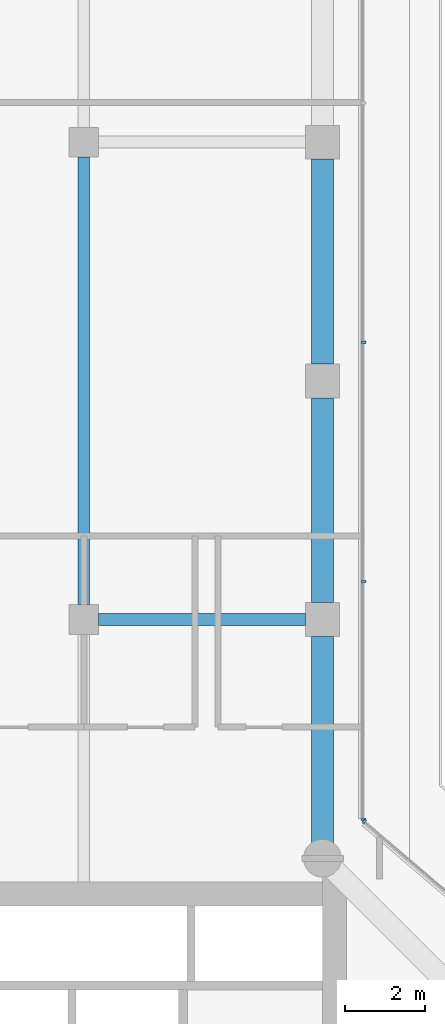
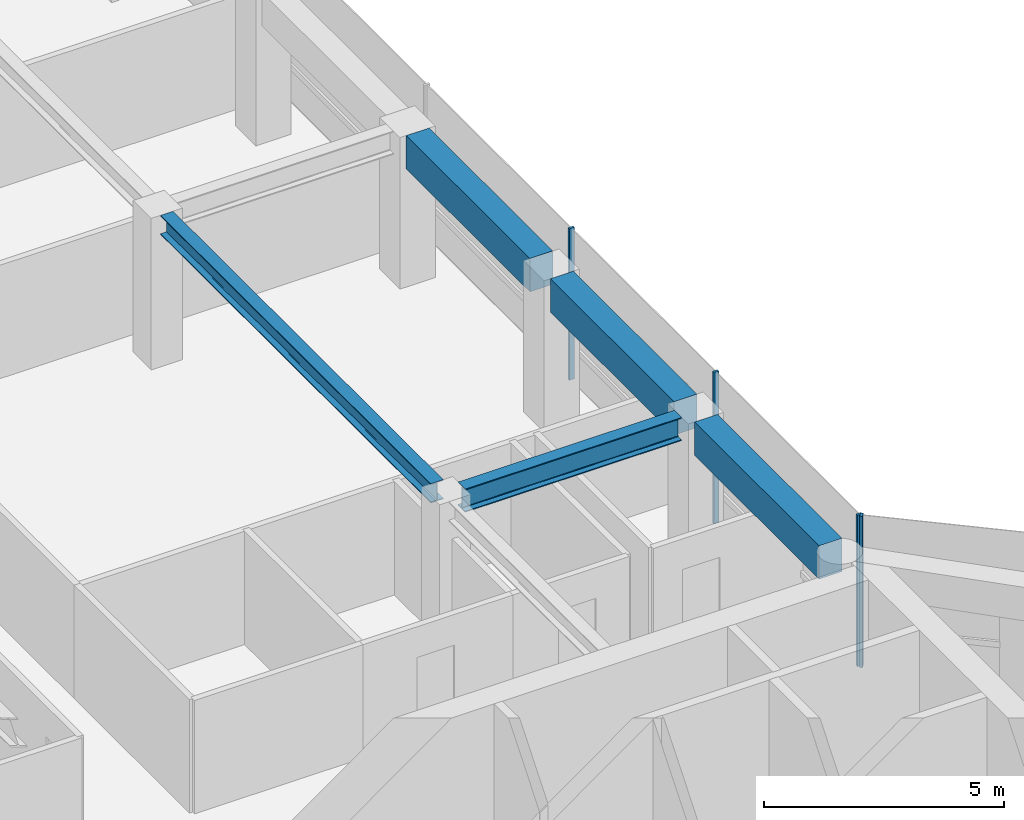
# One storey, part 10 of 23: 5 beams, 4 members, 2 elements without a shape of their own.
"""IFC4 building model written with IfcOpenShell, lengths in metres."""

from ifc_helpers import new_model, si_unit, direction, frame, origin, origin_2d, place, context, subcontext, project, spatial, rectangle, i_section, extrude, material, layer, layer_set, material_profile, profile_set, type_object, element, aggregate, save


model = new_model("IFC4")

# Units and contexts
model_context = context("Model", 3, precision=1e-05, world=origin(), true_north=direction((0.0, 1.0)))
body_context = subcontext(model_context, "Body", "Model", "MODEL_VIEW")
ifc_project = project(units=[si_unit("LENGTHUNIT", "METRE"), si_unit("AREAUNIT", "SQUARE_METRE"), si_unit("VOLUMEUNIT", "CUBIC_METRE"), si_unit("PLANEANGLEUNIT", "RADIAN"), si_unit("MASSUNIT", "GRAM", prefix="KILO")], contexts=[model_context])

# Site, building, storey
site_placement = place(None, origin())
site = spatial("IfcSite", under=ifc_project, at=site_placement, CompositionType="ELEMENT")
building_placement = place(site_placement, origin())
building = spatial("IfcBuilding", under=site, at=building_placement, Name="Welwitschia Terrace Campus", CompositionType="ELEMENT")
storey_placement = place(building_placement, frame((0.0, 0.0, 188.60009765625)))
storey = spatial("IfcBuildingStorey", under=building, at=storey_placement, Name="L42", CompositionType="ELEMENT", Elevation=188.60009765625)

# Beam
ifc_material_1 = material(Name="Steel S355", Category="steel")
ifc_material_profile_1 = material_profile(ifc_material_1, i_section(OverallWidth=0.300048828125, OverallDepth=0.489990234375, WebThickness=0.011962890625, FlangeThickness=0.02294921875, FilletRadius=0.027099609375, at=origin_2d()))
ifc_profile_set_1 = profile_set([ifc_material_profile_1], Name="Steel S355")
beam_type_1 = type_object("IfcBeamType", Name="Interior girder HE 500 A", PredefinedType="BEAM", material=ifc_profile_set_1)
beam_1_placement = place(storey_placement, frame((18.0, 32.37548828125, 3.60498046875), z_axis=(0.0, 1.0, 0.0), x_axis=(-1.0, 0.0, 0.0)))
element("IfcBeam", 1, at=beam_1_placement, inside=storey, type_object=beam_type_1, Name="Girder GB4", PredefinedType="BEAM", context=body_context, shape_type="SweptSolid", body=[
    extrude(i_section(OverallWidth=0.300048828125, OverallDepth=0.489990234375, WebThickness=0.011962890625, FlangeThickness=0.02294921875, FilletRadius=0.027099609375, at=origin_2d()), origin(), (0.0, 0.0, 1.0), 11.2490234375),
])

# Curtain wall, member
ifc_material_2 = material(Name="Bronze anodised aluminium", Category="aluminium")
ifc_layer = layer(ifc_material_2, 0.1201171875)
ifc_layer_set = layer_set([ifc_layer], Name="Bronze anodised aluminium")
curtain_wall_type = type_object("IfcCurtainWallType", Name="Curtain wall CW2 tower 6000", PredefinedType="NOTDEFINED", material=ifc_layer_set)
curtain_wall_1_placement = place(storey_placement, origin())
curtain_wall_1 = element("IfcCurtainWall", 2, at=curtain_wall_1_placement, inside=storey, type_object=curtain_wall_type, Name="CW L42.8.0", PredefinedType="NOTDEFINED")
ifc_material_3 = material(Name="Bronze anodised aluminium", Category="aluminium")
ifc_material_profile_2 = material_profile(ifc_material_3, rectangle(XDim=0.1201171875, YDim=0.06005859375, at=origin_2d()))
ifc_profile_set_2 = profile_set([ifc_material_profile_2], Name="Bronze anodised aluminium")
member_type = type_object("IfcMemberType", Name="Mullion 60x120", PredefinedType="MULLION", material=ifc_profile_set_2)
member_1_placement = place(storey_placement, frame((25.052734375, 26.925537109375, 0.0), z_axis=(0.0, 0.0, 1.0), x_axis=(-0.64944804833, -0.7604059656, 0.0)))
member_1 = element("IfcMember", 3, at=member_1_placement, type_object=member_type, Name="Mullion L42.8.0.1", PredefinedType="MULLION", context=body_context, shape_type="SweptSolid", body=[
    extrude(rectangle(XDim=0.1201171875, YDim=0.06005859375, at=origin_2d()), origin(), (0.0, 0.0, 1.0), 3.849853515625),
])
aggregate(curtain_wall_1, [member_1])

# Curtain wall, members
curtain_wall_2_placement = place(storey_placement, origin())
curtain_wall_2 = element("IfcCurtainWall", 4, at=curtain_wall_2_placement, inside=storey, type_object=curtain_wall_type, Name="CW L42.9.0", PredefinedType="NOTDEFINED")
member_2_placement = place(storey_placement, frame((25.030029296875, 26.97509765625, 0.0), z_axis=(0.0, 0.0, 1.0), x_axis=(-1.0, 0.0, 0.0)))
member_2 = element("IfcMember", 5, at=member_2_placement, type_object=member_type, Name="Mullion L42.9.0.0", PredefinedType="MULLION", context=body_context, shape_type="SweptSolid", body=[
    extrude(rectangle(XDim=0.1201171875, YDim=0.06005859375, at=origin_2d()), origin(), (0.0, 0.0, 1.0), 3.849853515625),
])
member_3_placement = place(storey_placement, frame((25.030029296875, 32.95849609375, 0.0), z_axis=(0.0, 0.0, 1.0), x_axis=(-1.0, 0.0, 0.0)))
member_3 = element("IfcMember", 6, at=member_3_placement, type_object=member_type, Name="Mullion L42.9.0.1", PredefinedType="MULLION", context=body_context, shape_type="SweptSolid", body=[
    extrude(rectangle(XDim=0.1201171875, YDim=0.06005859375, at=origin_2d()), origin(), (0.0, 0.0, 1.0), 3.849853515625),
])
member_4_placement = place(storey_placement, frame((25.030029296875, 38.971923828125, 0.0), z_axis=(0.0, 0.0, 1.0), x_axis=(-1.0, 0.0, 0.0)))
member_4 = element("IfcMember", 7, at=member_4_placement, type_object=member_type, Name="Mullion L42.9.0.2", PredefinedType="MULLION", context=body_context, shape_type="SweptSolid", body=[
    extrude(rectangle(XDim=0.1201171875, YDim=0.06005859375, at=origin_2d()), origin(), (0.0, 0.0, 1.0), 3.849853515625),
])
aggregate(curtain_wall_2, [member_2, member_3, member_4])

# Beams
ifc_material_4 = material(Name="Steel S355", Category="steel")
ifc_material_profile_3 = material_profile(ifc_material_4, i_section(OverallWidth=0.300048828125, OverallDepth=0.590087890625, WebThickness=0.012939453125, FlangeThickness=0.02490234375, FilletRadius=0.027099609375, at=origin_2d()))
ifc_profile_set_3 = profile_set([ifc_material_profile_3], Name="Steel S355")
beam_type_2 = type_object("IfcBeamType", Name="Primary beam HE 600 A", PredefinedType="BEAM", material=ifc_profile_set_3)
beam_2_placement = place(storey_placement, frame((23.574462890625, 32.0, 3.554931640625), z_axis=(-1.0, 0.0, 0.0), x_axis=(0.0, -1.0, 0.0)))
element("IfcBeam", 8, at=beam_2_placement, inside=storey, type_object=beam_type_2, Name="Primary beam PB4", PredefinedType="BEAM", context=body_context, shape_type="SweptSolid", body=[
    extrude(i_section(OverallWidth=0.300048828125, OverallDepth=0.590087890625, WebThickness=0.012939453125, FlangeThickness=0.02490234375, FilletRadius=0.027099609375, at=origin_2d()), origin(), (0.0, 0.0, 1.0), 5.198974609375),
])
ifc_material_5 = material(Name="Concrete C50/60", Category="concrete")
ifc_material_profile_4 = material_profile(ifc_material_5, rectangle(XDim=0.550048828125, YDim=0.85009765625, at=origin_2d()))
ifc_profile_set_4 = profile_set([ifc_material_profile_4], Name="Concrete C50/60")
beam_type_3 = type_object("IfcBeamType", Name="Ring spandrel 550x850", PredefinedType="SPANDREL", material=ifc_profile_set_4)
beam_3_placement = place(storey_placement, frame((24.0, 26.387939453125, 3.4248046875), z_axis=(0.0, 1.0, 0.0), x_axis=(-1.0, 0.0, 0.0)))
element("IfcBeam", 9, at=beam_3_placement, inside=storey, type_object=beam_type_3, Name="Spandrel SP3", PredefinedType="SPANDREL", context=body_context, shape_type="SweptSolid", body=[
    extrude(rectangle(XDim=0.550048828125, YDim=0.85009765625, at=origin_2d()), origin(), (0.0, 0.0, 1.0), 5.1865234375),
])
for number, where, z_axis, x_axis, name in (
    (10, (24.0, 32.425537109375, 3.4248046875), (0.0, 1.0, 0.0), (-1.0, 0.0, 0.0), "Spandrel SP3"),
    (11, (24.0, 38.425537109375, 3.4248046875), (0.0, 1.0, 0.0), (-1.0, 0.0, 0.0), "Spandrel SP3"),
):
    element("IfcBeam", number, at=place(storey_placement, frame(where, z_axis=z_axis, x_axis=x_axis)), inside=storey, type_object=beam_type_3, Name=name, PredefinedType="SPANDREL", context=body_context, shape_type="SweptSolid", body=[
        extrude(rectangle(XDim=0.550048828125, YDim=0.85009765625, at=origin_2d()), origin(), (0.0, 0.0, 1.0), 5.14892578125),
    ])

save(model, "model.ifc")
